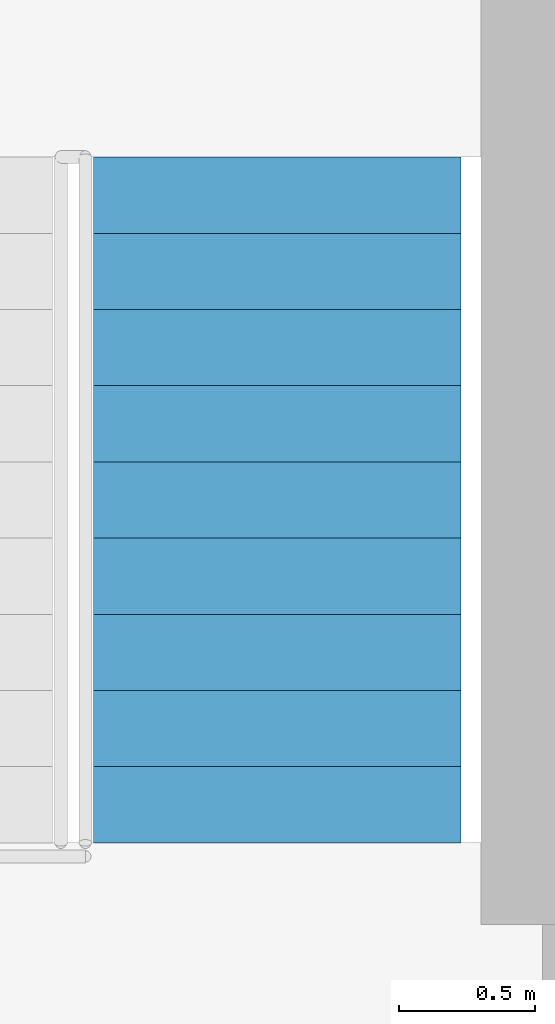
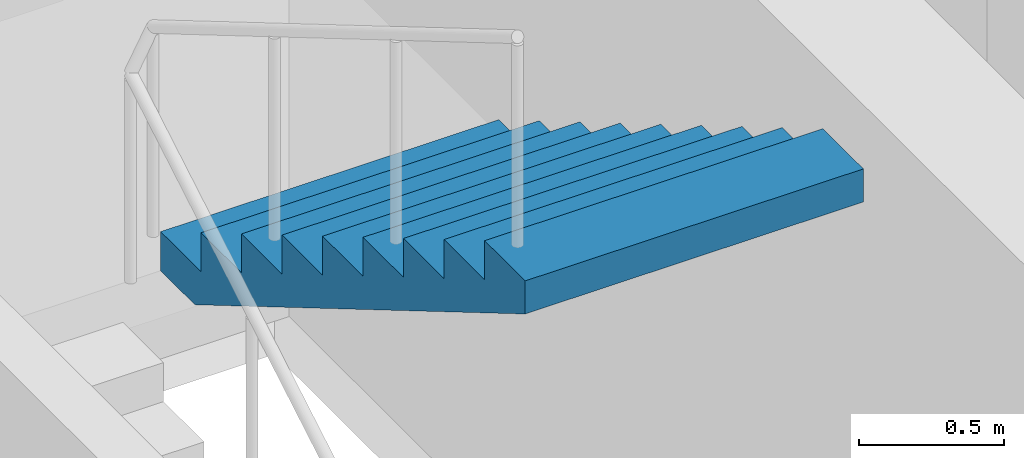
# One storey, part 12 of 13: 1 stair flight, 1 element without a shape of its own.
"""IFC4 building model written with IfcOpenShell, lengths in metres."""

from ifc_helpers import new_model, si_unit, direction, frame, origin, place, context, subcontext, project, spatial, polyline, outline, extrude, material, type_object, element, aggregate, save


model = new_model("IFC4")

# Units and contexts
model_context = context("Model", 3, precision=1e-05, world=origin(), true_north=direction((0.0, 1.0)))
body_context = subcontext(model_context, "Body", "Model", "MODEL_VIEW")
ifc_project = project(units=[si_unit("LENGTHUNIT", "METRE"), si_unit("AREAUNIT", "SQUARE_METRE"), si_unit("VOLUMEUNIT", "CUBIC_METRE"), si_unit("PLANEANGLEUNIT", "RADIAN"), si_unit("MASSUNIT", "GRAM", prefix="KILO")], contexts=[model_context])

# Site, building, storey
site_placement = place(None, origin())
site = spatial("IfcSite", under=ifc_project, at=site_placement, CompositionType="ELEMENT")
building_placement = place(site_placement, origin())
building = spatial("IfcBuilding", under=site, at=building_placement, Name="Quoin Convention Tower", CompositionType="ELEMENT")
storey_placement = place(building_placement, frame((0.0, 0.0, 62.699951171875)))
storey = spatial("IfcBuildingStorey", under=building, at=storey_placement, Name="L16", CompositionType="ELEMENT", Elevation=62.699951171875)

# Stair, stair flight
ifc_material = material(Name="Concrete C40", Category="concrete")
stair_type = type_object("IfcStairType", Name="Exit stair two-flight 1350", PredefinedType="HALF_TURN_STAIR", material=ifc_material)
stair_placement = place(storey_placement, origin())
stair = element("IfcStair", 1, at=stair_placement, inside=storey, type_object=stair_type, Name="SD2 L16", PredefinedType="HALF_TURN_STAIR")
stair_flight_type = type_object("IfcStairFlightType", Name="Stair flight 1350", PredefinedType="STRAIGHT", material=ifc_material)
stair_flight_placement = place(storey_placement, frame((66.25, 60.320068359375, 1.650146484375), z_axis=(0.0, 0.0, 1.0), x_axis=(0.0, -1.0, 0.0)))
stair_flight = element("IfcStairFlight", 2, at=stair_flight_placement, type_object=stair_flight_type, Name="ST2 flight 2", NumberOfRisers=10, NumberOfTreads=9, PredefinedType="STRAIGHT", RiserHeight=0.165, TreadLength=0.28, context=body_context, shape_type="SweptSolid", body=[
    extrude(outline(polyline([(0.0, 0.0), (0.0, 0.1650390625), (0.280029296875, 0.1650390625), (0.280029296875, 0.330078125), (0.56005859375, 0.330078125), (0.56005859375, 0.4951171875), (0.840087890625, 0.4951171875), (0.840087890625, 0.659912109375), (1.1201171875, 0.659912109375), (1.1201171875, 0.824951171875), (1.39990234375, 0.824951171875), (1.39990234375, 0.989990234375), (1.679931640625, 0.989990234375), (1.679931640625, 1.155029296875), (1.9599609375, 1.155029296875), (1.9599609375, 1.320068359375), (2.239990234375, 1.320068359375), (2.239990234375, 1.485107421875), (2.52001953125, 1.485107421875), (2.52001953125, 1.64990234375), (2.52001953125, 1.345458984375), (0.236572265625, 0.0), (0.0, 0.0)])), frame((0.0, 0.675048828125, 0.0), z_axis=(0.0, -1.0, 0.0), x_axis=(1.0, 0.0, 0.0)), (0.0, 0.0, 1.0), 1.35009765625),
])
aggregate(stair, [stair_flight])

save(model, "model.ifc")
